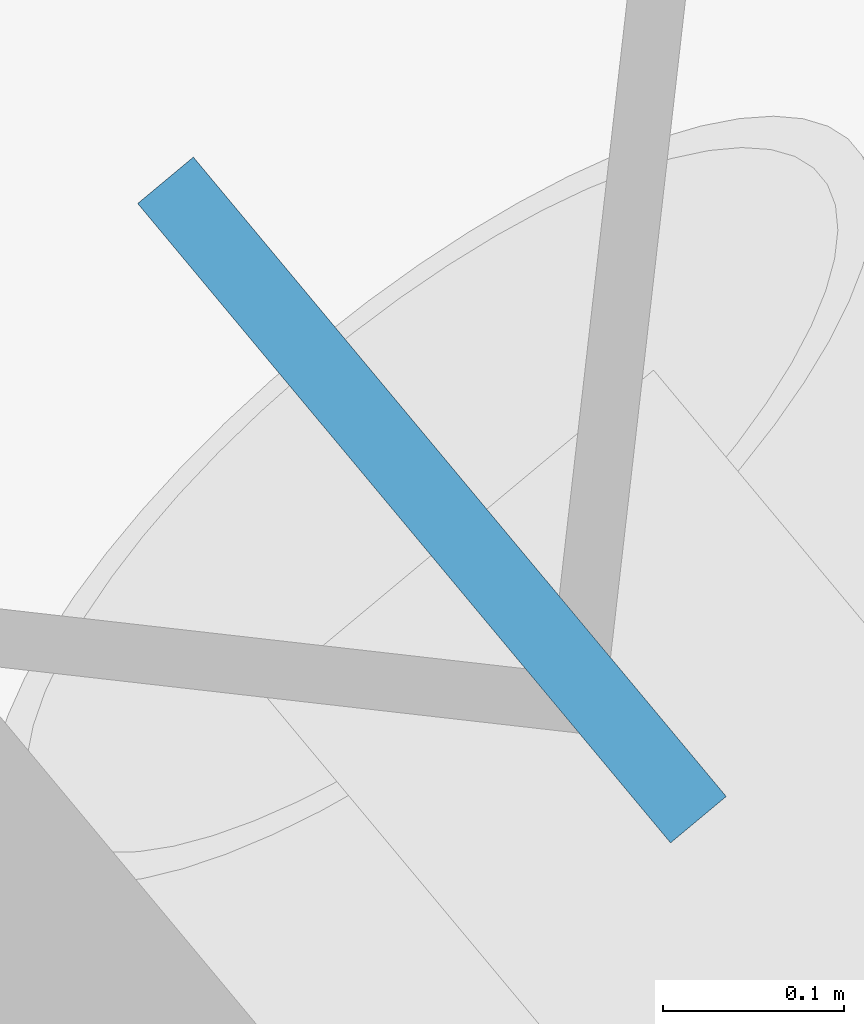
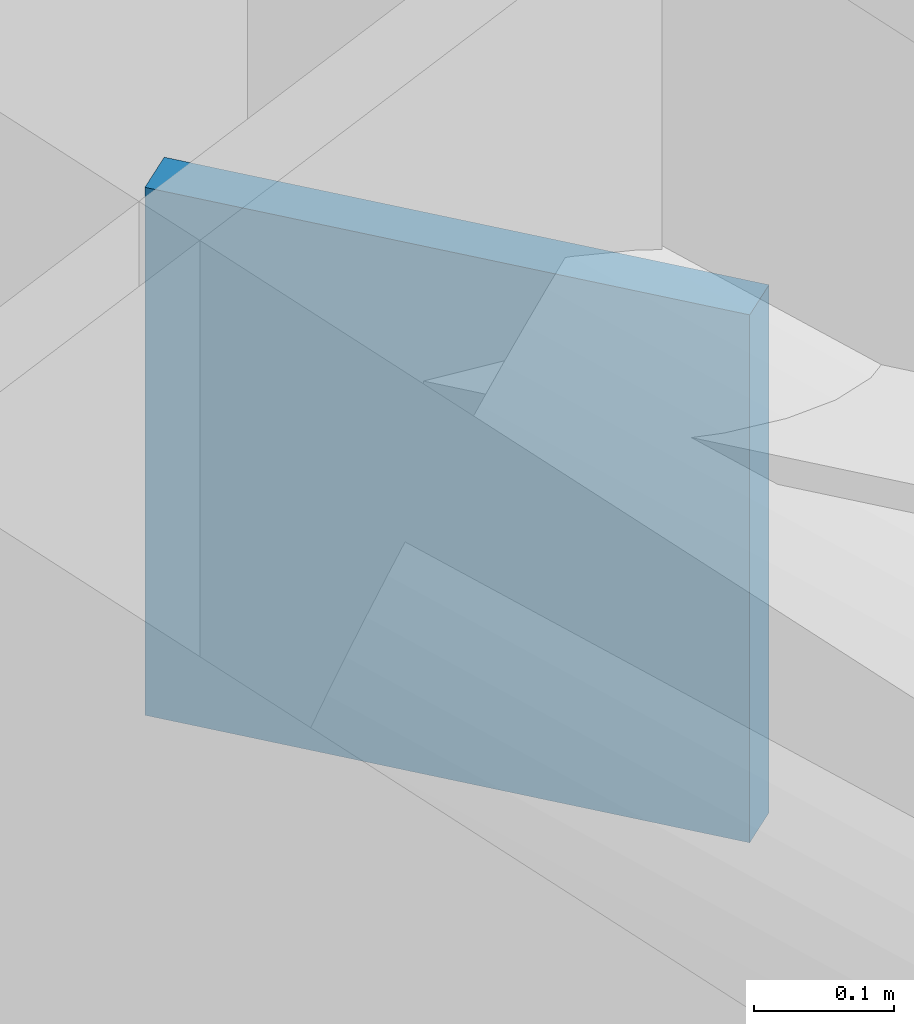
# One storey, part 19 of 20: 1 discrete accessory.
"""IFC4 building model written with IfcOpenShell, lengths in metres."""

from ifc_helpers import new_model, si_unit, direction, frame, origin, origin_2d, place, context, subcontext, project, spatial, rectangle, extrude, material, type_object, element, save


model = new_model("IFC4")

# Units and contexts
model_context = context("Model", 3, precision=1e-05, world=origin(), true_north=direction((0.0, 1.0)))
body_context = subcontext(model_context, "Body", "Model", "MODEL_VIEW")
ifc_project = project(units=[si_unit("LENGTHUNIT", "METRE"), si_unit("AREAUNIT", "SQUARE_METRE"), si_unit("VOLUMEUNIT", "CUBIC_METRE"), si_unit("PLANEANGLEUNIT", "RADIAN"), si_unit("MASSUNIT", "GRAM", prefix="KILO")], contexts=[model_context])

# Site, building, storey
site_placement = place(None, origin())
site = spatial("IfcSite", under=ifc_project, at=site_placement, CompositionType="ELEMENT")
building_placement = place(site_placement, origin())
building = spatial("IfcBuilding", under=site, at=building_placement, Name="Tavrogorsk Clinical Tower", CompositionType="ELEMENT")
storey_placement = place(building_placement, frame((0.0, 0.0, 105.39990234375)))
storey = spatial("IfcBuildingStorey", under=building, at=storey_placement, Name="L23", CompositionType="ELEMENT", Elevation=105.39990234375)

# Discrete accessory
ifc_material = material(Name="Structural steel S440", Category="steel")
discrete_accessory_type = type_object("IfcDiscreteAccessoryType", Name="GussetPlateBracket_25", PredefinedType="BRACKET", material=ifc_material)
discrete_accessory_placement = place(storey_placement, frame((37.2109375, 18.06640625, 2.68310546875), z_axis=(0.0, 0.0, 1.0), x_axis=(-0.640243780506, 0.768171791674, 0.0)))
element("IfcDiscreteAccessory", 1, at=discrete_accessory_placement, inside=storey, type_object=discrete_accessory_type, Name="L23 Brace Gusset Plate EXOCRN-L23-2-B", PredefinedType="BRACKET", context=body_context, shape_type="SweptSolid", body=[
    extrude(rectangle(XDim=0.4599609375, YDim=0.0400390625, at=origin_2d()), origin(), (0.0, 0.0, 1.0), 0.4599609375),
])

save(model, "model.ifc")
